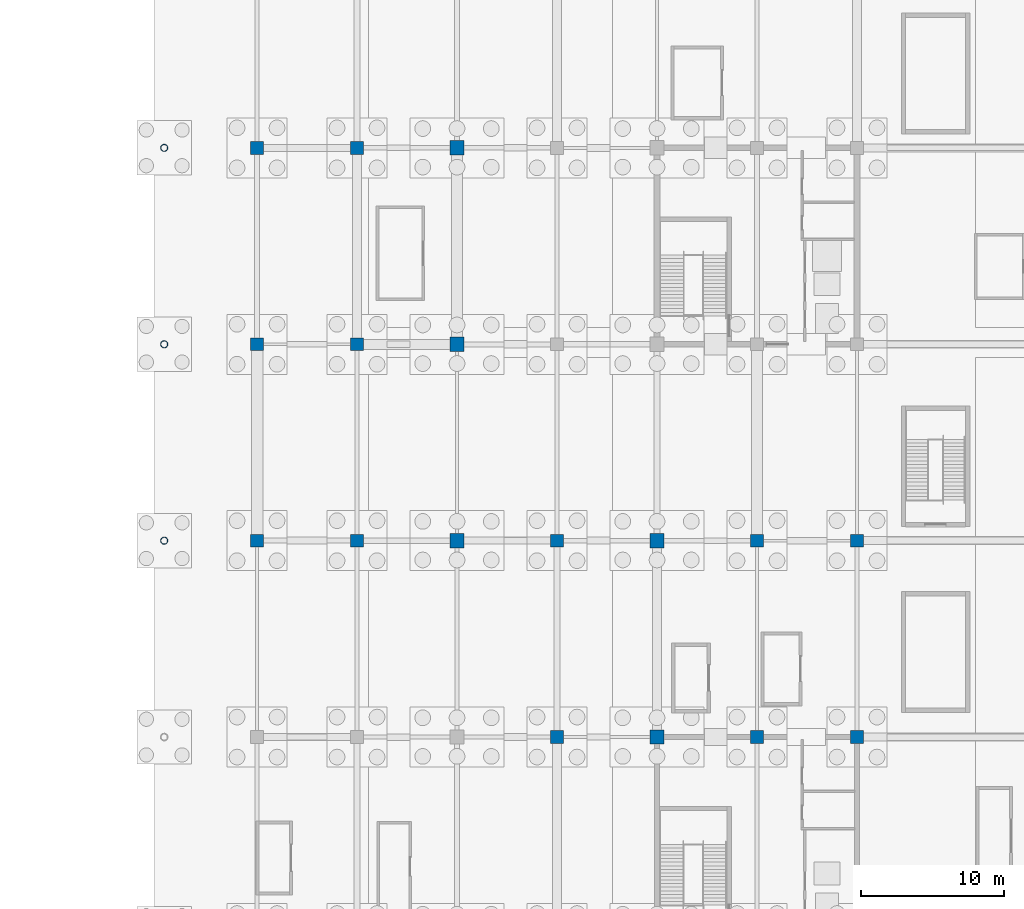
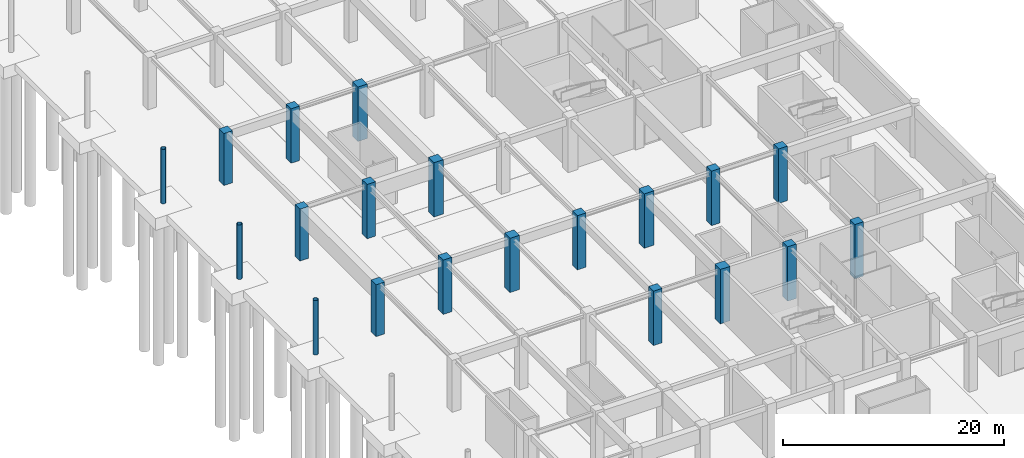
# One storey, part 20 of 62: 20 columns.
"""IFC4 building model written with IfcOpenShell, lengths in metres."""

from ifc_helpers import new_model, si_unit, direction, frame, origin, origin_2d, place, context, subcontext, project, spatial, rectangle, hollow_circle, extrude, material, material_profile, profile_set, type_object, element, save


model = new_model("IFC4")

# Units and contexts
model_context = context("Model", 3, precision=1e-05, world=origin(), true_north=direction((0.0, 1.0)))
body_context = subcontext(model_context, "Body", "Model", "MODEL_VIEW")
ifc_project = project(units=[si_unit("LENGTHUNIT", "METRE"), si_unit("AREAUNIT", "SQUARE_METRE"), si_unit("VOLUMEUNIT", "CUBIC_METRE"), si_unit("PLANEANGLEUNIT", "RADIAN"), si_unit("MASSUNIT", "GRAM", prefix="KILO")], contexts=[model_context])

# Site, building, storey
site_placement = place(None, origin())
site = spatial("IfcSite", under=ifc_project, at=site_placement, CompositionType="ELEMENT")
building_placement = place(site_placement, origin())
building = spatial("IfcBuilding", under=site, at=building_placement, Name="Linyun Crest Stadium", CompositionType="ELEMENT")
storey_placement = place(building_placement, frame((0.0, 0.0, -6.0)))
storey = spatial("IfcBuildingStorey", under=building, at=storey_placement, Name="B1", CompositionType="ELEMENT", Elevation=-6.0)

# Columns
ifc_material_1 = material(Name="Concrete C50", Category="concrete")
ifc_material_profile_1 = material_profile(ifc_material_1, rectangle(XDim=0.89990234375, YDim=0.89990234375, at=origin_2d()), Name="RC 900x900")
ifc_profile_set_1 = profile_set([ifc_material_profile_1], Name="Concrete C50")
column_type_1 = type_object("IfcColumnType", Name="C04", PredefinedType="COLUMN", material=ifc_profile_set_1)
for number, where, z_axis, x_axis, name in (
    (1, (42.0, -11.625, 0.0), (0.0, 0.0, 1.0), (1.0, 0.0, 0.0), "Column C04 B1 300"),
    (2, (42.0, 2.125, 0.0), (0.0, 0.0, 1.0), (1.0, 0.0, 0.0), "Column C04 B1 301"),
    (3, (42.0, 15.875, 0.0), (0.0, 0.0, 1.0), (1.0, 0.0, 0.0), "Column C04 B1 302"),
):
    element("IfcColumn", number, at=place(storey_placement, frame(where, z_axis=z_axis, x_axis=x_axis)), inside=storey, type_object=column_type_1, Name=name, PredefinedType="COLUMN", context=body_context, shape_type="SweptSolid", body=[
        extrude(rectangle(XDim=0.89990234375, YDim=0.89990234375, at=origin_2d()), origin(), (0.0, 0.0, 1.0), 5.719970703125),
    ])
for number, where, z_axis, x_axis, name in (
    (4, (49.0, -11.625, 0.0), (0.0, 0.0, 1.0), (1.0, 0.0, 0.0), "Column C04 B1 311"),
    (5, (49.0, 2.125, 0.0), (0.0, 0.0, 1.0), (1.0, 0.0, 0.0), "Column C04 B1 313"),
    (6, (49.0, 15.875, 0.0), (0.0, 0.0, 1.0), (1.0, 0.0, 0.0), "Column C04 B1 315"),
    (7, (63.0, -25.375, 0.0), (0.0, 0.0, 1.0), (1.0, 0.0, 0.0), "Column C04 B1 363"),
    (8, (63.0, -11.625, 0.0), (0.0, 0.0, 1.0), (1.0, 0.0, 0.0), "Column C04 B1 368"),
    (9, (77.0, -25.375, 0.0), (0.0, 0.0, 1.0), (1.0, 0.0, 0.0), "Column C04 B1 451"),
    (10, (77.0, -11.625, 0.0), (0.0, 0.0, 1.0), (1.0, 0.0, 0.0), "Column C04 B1 456"),
    (11, (84.0, -25.375, 0.0), (0.0, 0.0, 1.0), (1.0, 0.0, 0.0), "Column C04 B1 493"),
    (12, (84.0, -11.625, 0.0), (0.0, 0.0, 1.0), (1.0, 0.0, 0.0), "Column C04 B1 499"),
):
    element("IfcColumn", number, at=place(storey_placement, frame(where, z_axis=z_axis, x_axis=x_axis)), inside=storey, type_object=column_type_1, Name=name, PredefinedType="COLUMN", context=body_context, shape_type="SweptSolid", body=[
        extrude(rectangle(XDim=0.89990234375, YDim=0.89990234375, at=origin_2d()), origin(), (0.0, 0.0, 1.0), 5.998046875),
    ])
ifc_material_2 = material(Name="Concrete C50", Category="concrete")
ifc_material_profile_2 = material_profile(ifc_material_2, rectangle(XDim=1.0, YDim=1.0, at=origin_2d()), Name="RC 1000x1000")
ifc_profile_set_2 = profile_set([ifc_material_profile_2], Name="Concrete C50")
column_type_2 = type_object("IfcColumnType", Name="C05", PredefinedType="COLUMN", material=ifc_profile_set_2)
for number, where, z_axis, x_axis, name in (
    (13, (56.0, -11.625, 0.0), (0.0, 0.0, 1.0), (1.0, 0.0, 0.0), "Column C05 B1 333"),
    (14, (56.0, 2.125, 0.0), (0.0, 0.0, 1.0), (1.0, 0.0, 0.0), "Column C05 B1 337"),
    (15, (56.0, 15.875, 0.0), (0.0, 0.0, 1.0), (1.0, 0.0, 0.0), "Column C05 B1 341"),
    (16, (70.0, -25.375, 0.0), (0.0, 0.0, 1.0), (1.0, 0.0, 0.0), "Column C05 B1 405"),
    (17, (70.0, -11.625, 0.0), (0.0, 0.0, 1.0), (1.0, 0.0, 0.0), "Column C05 B1 411"),
):
    element("IfcColumn", number, at=place(storey_placement, frame(where, z_axis=z_axis, x_axis=x_axis)), inside=storey, type_object=column_type_2, Name=name, PredefinedType="COLUMN", context=body_context, shape_type="SweptSolid", body=[
        extrude(rectangle(XDim=1.0, YDim=1.0, at=origin_2d()), origin(), (0.0, 0.0, 1.0), 5.998046875),
    ])
ifc_material_3 = material(Name="Steel Q355C", Category="steel")
ifc_material_profile_3 = material_profile(ifc_material_3, hollow_circle(Radius=0.25390625, WallThickness=0.02490234375, at=origin_2d()), Name="CHS 508x25")
ifc_profile_set_3 = profile_set([ifc_material_profile_3], Name="Steel Q355C")
column_type_3 = type_object("IfcColumnType", Name="SC05", PredefinedType="COLUMN", material=ifc_profile_set_3)
for number, where, z_axis, x_axis, name in (
    (18, (35.5, -11.625, 0.0), (0.0, 0.0, 1.0), (1.0, 0.0, 0.0), "Arch colonnade column SC05 B1 24"),
    (19, (35.5, 2.125, 0.0), (0.0, 0.0, 1.0), (1.0, 0.0, 0.0), "Arch colonnade column SC05 B1 26"),
    (20, (35.5, 15.875, 0.0), (0.0, 0.0, 1.0), (1.0, 0.0, 0.0), "Arch colonnade column SC05 B1 28"),
):
    element("IfcColumn", number, at=place(storey_placement, frame(where, z_axis=z_axis, x_axis=x_axis)), inside=storey, type_object=column_type_3, Name=name, PredefinedType="COLUMN", context=body_context, shape_type="SweptSolid", body=[
        extrude(hollow_circle(Radius=0.25390625, WallThickness=0.02490234375, at=origin_2d()), origin(), (0.0, 0.0, 1.0), 6.0),
    ])

save(model, "model.ifc")
